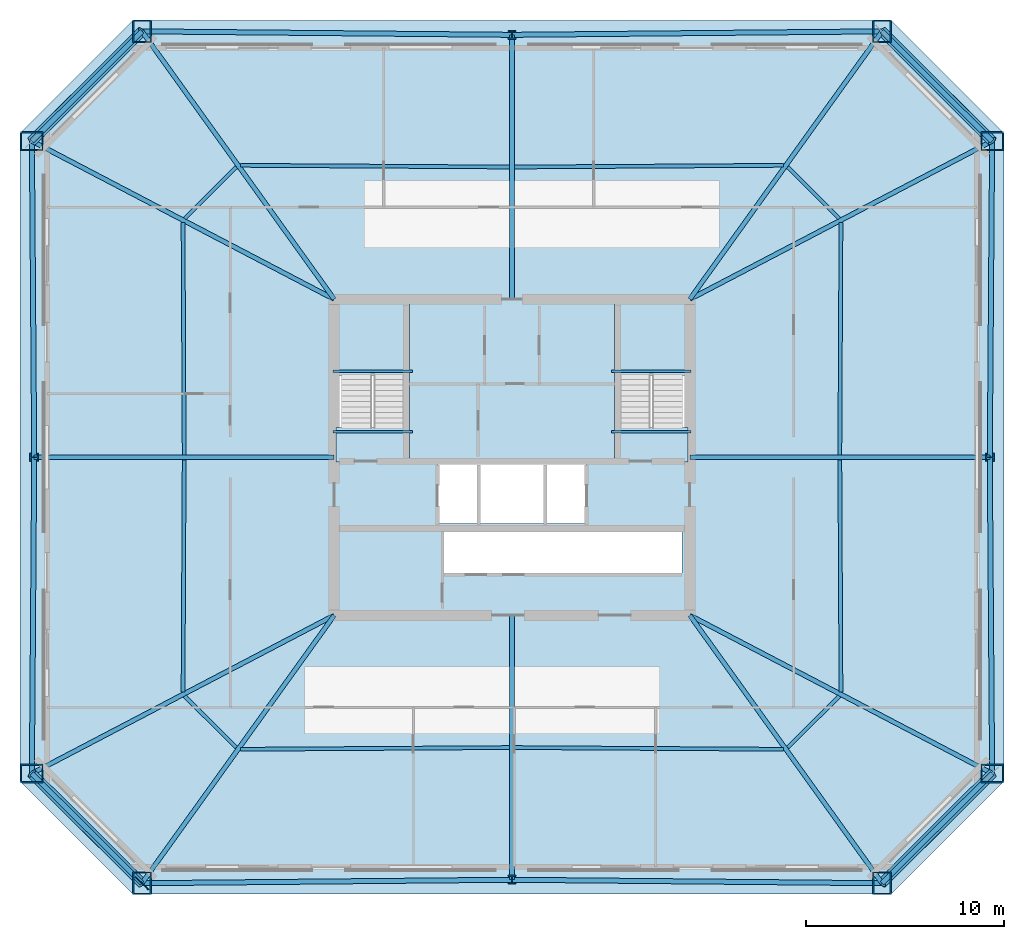
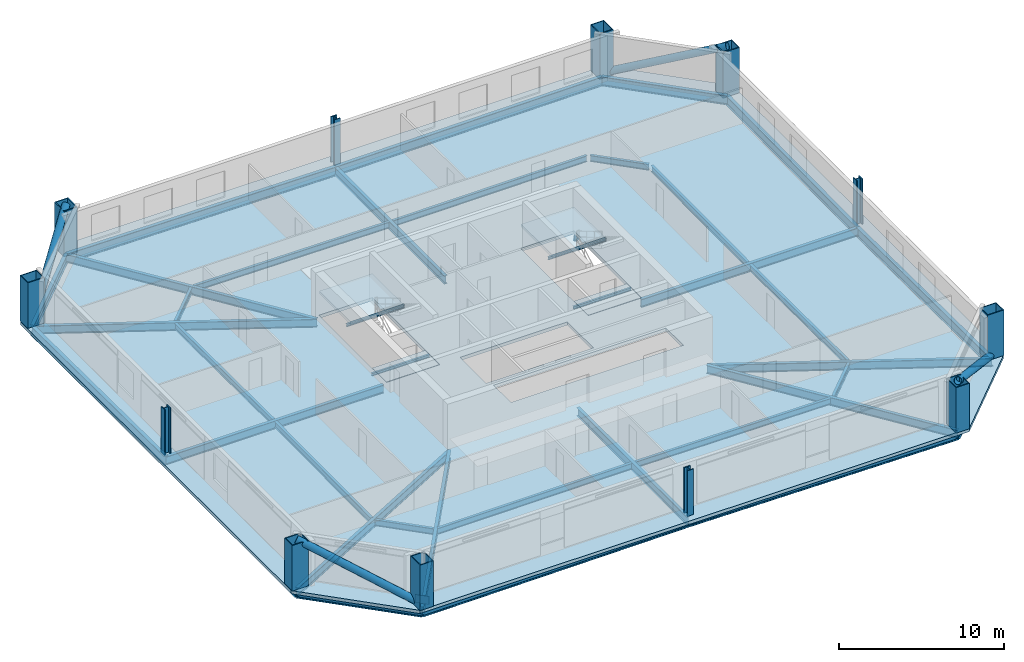
# One storey, part 1 of 7: 40 beams, 12 columns, 5 slabs, 4 members, 1 plate, 2 elements without a shape of their own.
"""IFC4 building model written with IfcOpenShell, lengths in metres."""

from ifc_helpers import new_model, si_unit, direction, frame, origin, origin_2d, place, context, subcontext, project, spatial, polyline, rectangle, hollow_rectangle, hollow_circle, i_section, outline, extrude, material, layer, layer_set, material_profile, profile_set, type_object, element, aggregate, save


model = new_model("IFC4")

# Units and contexts
model_context = context("Model", 3, precision=1e-05, world=origin(), true_north=direction((0.0, 1.0)))
body_context = subcontext(model_context, "Body", "Model", "MODEL_VIEW")
ifc_project = project(units=[si_unit("LENGTHUNIT", "METRE"), si_unit("AREAUNIT", "SQUARE_METRE"), si_unit("VOLUMEUNIT", "CUBIC_METRE"), si_unit("PLANEANGLEUNIT", "RADIAN"), si_unit("MASSUNIT", "GRAM", prefix="KILO")], contexts=[model_context])

# Site, building, storey
site_placement = place(None, origin())
site = spatial("IfcSite", under=ifc_project, at=site_placement, CompositionType="ELEMENT")
building_placement = place(site_placement, origin())
building = spatial("IfcBuilding", under=site, at=building_placement, Name="Caelvoria Tower", CompositionType="ELEMENT")
storey_placement = place(building_placement, frame((0.0, 0.0, 98.800048828125)))
storey = spatial("IfcBuildingStorey", under=building, at=storey_placement, Name="L25", CompositionType="ELEMENT", Elevation=98.800048828125)

# Columns
ifc_material_1 = material(Name="Structural Steel ASTM A572 Gr.50", Category="steel")
ifc_material_profile_1 = material_profile(ifc_material_1, hollow_rectangle(XDim=0.949951171875, YDim=1.14990234375, WallThickness=0.06005859375, at=origin_2d()), Name="Structural Steel ASTM A572 Gr.50")
ifc_profile_set_1 = profile_set([ifc_material_profile_1], Name="BOX1150X950X60 - Structural Steel ASTM A572 Gr.50")
column_type_1 = type_object("IfcColumnType", Name="Mega Box Column 1150x950x60", PredefinedType="COLUMN", material=ifc_profile_set_1)
for number, where, z_axis, x_axis, name in (
    (1, (27.272216796875, 10.443603515625, 0.0), (0.0, 0.0, 1.0), (1.0, 0.0, 0.0), "Perimeter Megaframe Column L25-P00"),
    (2, (64.727783203125, 10.443603515625, 0.0), (0.0, 0.0, 1.0), (1.0, 0.0, 0.0), "Perimeter Megaframe Column L25-P02"),
    (3, (70.298583984375, 15.99609375, 0.0), (0.0, 0.0, 1.0), (0.0, 1.0, 0.0), "Perimeter Megaframe Column L25-P03"),
    (4, (70.298583984375, 48.00390625, 0.0), (0.0, 0.0, 1.0), (0.0, 1.0, 0.0), "Perimeter Megaframe Column L25-P05"),
    (5, (64.727783203125, 53.556396484375, 0.0), (0.0, 0.0, 1.0), (1.0, 0.0, 0.0), "Perimeter Megaframe Column L25-P06"),
    (6, (27.272216796875, 53.556396484375, 0.0), (0.0, 0.0, 1.0), (1.0, 0.0, 0.0), "Perimeter Megaframe Column L25-P08"),
    (7, (21.701416015625, 48.00390625, 0.0), (0.0, 0.0, 1.0), (0.0, 1.0, 0.0), "Perimeter Megaframe Column L25-P09"),
    (8, (21.701416015625, 15.99609375, 0.0), (0.0, 0.0, 1.0), (0.0, 1.0, 0.0), "Perimeter Megaframe Column L25-P11"),
):
    element("IfcColumn", number, at=place(storey_placement, frame(where, z_axis=z_axis, x_axis=x_axis)), inside=storey, type_object=column_type_1, Name=name, PredefinedType="COLUMN", context=body_context, shape_type="SweptSolid", body=[
        extrude(hollow_rectangle(XDim=0.949951171875, YDim=1.14990234375, WallThickness=0.06005859375, at=origin_2d()), origin(), (0.0, 0.0, 1.0), 3.35791015625),
    ])
ifc_material_2 = material(Name="Structural Steel ASTM A913 Gr.65", Category="steel")
ifc_material_profile_2 = material_profile(ifc_material_2, i_section(OverallWidth=0.41796875, OverallDepth=0.455078125, WebThickness=0.0419921875, FlangeThickness=0.067626953125, FilletRadius=0.02490234375, at=origin_2d()), Name="Structural Steel ASTM A913 Gr.65")
ifc_profile_set_2 = profile_set([ifc_material_profile_2], Name="W360X551 - Structural Steel ASTM A913 Gr.65")
column_type_2 = type_object("IfcColumnType", Name="Mid Frame Column W360X551", PredefinedType="COLUMN", material=ifc_profile_set_2)
for number, where, z_axis, x_axis, name in (
    (9, (46.0, 10.6201171875, 0.0), (0.0, 0.0, 1.0), (1.0, 0.0, 0.0), "Perimeter Megaframe Column L25-P01"),
    (10, (70.179931640625, 32.0, 0.0), (0.0, 0.0, 1.0), (0.0, 1.0, 0.0), "Perimeter Megaframe Column L25-P04"),
    (11, (46.0, 53.3798828125, 0.0), (0.0, 0.0, 1.0), (1.0, 0.0, 0.0), "Perimeter Megaframe Column L25-P07"),
    (12, (21.820068359375, 32.0, 0.0), (0.0, 0.0, 1.0), (0.0, 1.0, 0.0), "Perimeter Megaframe Column L25-P10"),
):
    element("IfcColumn", number, at=place(storey_placement, frame(where, z_axis=z_axis, x_axis=x_axis)), inside=storey, type_object=column_type_2, Name=name, PredefinedType="COLUMN", context=body_context, shape_type="SweptSolid", body=[
        extrude(i_section(OverallWidth=0.41796875, OverallDepth=0.455078125, WebThickness=0.0419921875, FlangeThickness=0.067626953125, FilletRadius=0.02490234375, at=origin_2d()), origin(), (0.0, 0.0, 1.0), 3.35791015625),
    ])

# Beams
ifc_material_3 = material(Name="Structural Steel ASTM A992 Gr.50", Category="steel")
ifc_material_profile_3 = material_profile(ifc_material_3, i_section(OverallWidth=0.134033203125, OverallDepth=0.2099609375, WebThickness=0.00634765625, FlangeThickness=0.01025390625, FilletRadius=0.010009765625, at=origin_2d()), Name="Structural Steel ASTM A992 Gr.50")
ifc_profile_set_3 = profile_set([ifc_material_profile_3], Name="W200X31.3 - Structural Steel ASTM A992 Gr.50")
beam_type_1 = type_object("IfcBeamType", Name="Canopy Edge Trim Beam W200X31.3", PredefinedType="BEAM", material=ifc_profile_set_3)
for number, where, z_axis, x_axis, name in (
    (13, (36.929931640625, 36.35009765625, 1.494873046875), (1.0, 0.0, 0.0), (0.0, 1.0, 0.0), "ST-01 Half-Landing Support Beam L25"),
    (14, (36.929931640625, 33.300048828125, -0.304931640625), (1.0, 0.0, 0.0), (0.0, 1.0, 0.0), "ST-01 Floor-Landing Support Beam L25"),
    (15, (51.030029296875, 36.35009765625, 1.494873046875), (1.0, 0.0, 0.0), (0.0, 1.0, 0.0), "ST-02 Half-Landing Support Beam L25"),
    (16, (51.030029296875, 33.300048828125, -0.304931640625), (1.0, 0.0, 0.0), (0.0, 1.0, 0.0), "ST-02 Floor-Landing Support Beam L25"),
):
    element("IfcBeam", number, at=place(storey_placement, frame(where, z_axis=z_axis, x_axis=x_axis)), inside=storey, type_object=beam_type_1, Name=name, PredefinedType="BEAM", context=body_context, shape_type="SweptSolid", body=[
        extrude(i_section(OverallWidth=0.134033203125, OverallDepth=0.2099609375, WebThickness=0.00634765625, FlangeThickness=0.01025390625, FilletRadius=0.010009765625, at=origin_2d()), origin(), (0.0, 0.0, 1.0), 4.0400390625),
    ])

# Members
ifc_material_profile_4 = material_profile(ifc_material_1, hollow_circle(Radius=0.25390625, WallThickness=0.02001953125, at=origin_2d()), Name="Structural Steel ASTM A572 Gr.50")
ifc_profile_set_4 = profile_set([ifc_material_profile_4], Name="CHS508X20 - Structural Steel ASTM A572 Gr.50")
member_type = type_object("IfcMemberType", Name="Mid Perimeter Mega Brace CHS508X20", PredefinedType="BRACE", material=ifc_profile_set_4)
for number, where, z_axis, x_axis, name in (
    (17, (70.298583984375, 15.99609375, 0.0), (-0.651332268907, -0.649191418693, 0.392831741813), (0.705941824609, -0.708269821656, 0.0), "Perimeter Chamfer Mega Brace L25 SE"),
    (18, (64.727783203125, 53.556396484375, 0.0), (0.651332268907, -0.649191418693, 0.392831741813), (0.705941824609, 0.708269821656, 0.0), "Perimeter Chamfer Mega Brace L25 NE"),
    (19, (21.701416015625, 48.00390625, 0.0), (0.651332268907, 0.649191418693, 0.392831741813), (-0.705941824609, 0.708269821656, 0.0), "Perimeter Chamfer Mega Brace L25 NW"),
    (20, (27.272216796875, 10.443603515625, 0.0), (-0.651332268907, 0.649191418693, 0.392831741813), (-0.705941824609, -0.708269821656, 0.0), "Perimeter Chamfer Mega Brace L25 SW"),
):
    element("IfcMember", number, at=place(storey_placement, frame(where, z_axis=z_axis, x_axis=x_axis)), inside=storey, type_object=member_type, Name=name, PredefinedType="BRACE", context=body_context, shape_type="SweptSolid", body=[
        extrude(hollow_circle(Radius=0.25390625, WallThickness=0.02001953125, at=origin_2d()), origin(), (0.0, 0.0, 1.0), 8.552978515625),
    ])

# Beams
ifc_material_profile_5 = material_profile(ifc_material_3, i_section(OverallWidth=0.25390625, OverallDepth=0.68798828125, WebThickness=0.01318359375, FlangeThickness=0.02099609375, FilletRadius=0.01904296875, at=origin_2d()), Name="Structural Steel ASTM A992 Gr.50")
ifc_profile_set_5 = profile_set([ifc_material_profile_5], Name="W690X152 - Structural Steel ASTM A992 Gr.50")
beam_type_2 = type_object("IfcBeamType", Name="Perimeter Spandrel Girder W690X152", PredefinedType="BEAM", material=ifc_profile_set_5)
for number, where, z_axis, x_axis, name in (
    (21, (27.272216796875, 10.443603515625, -0.583984375), (0.999955585475, 0.009424811799, 0.0), (-0.009424811799, 0.999955585475, 0.0), "Perimeter Spandrel Girder L25-00"),
    (22, (46.0, 10.6201171875, -0.583984375), (0.999955585475, -0.009424811799, 0.0), (0.009424811799, 0.999955585475, 0.0), "Perimeter Spandrel Girder L25-01"),
):
    element("IfcBeam", number, at=place(storey_placement, frame(where, z_axis=z_axis, x_axis=x_axis)), inside=storey, type_object=beam_type_2, Name=name, PredefinedType="BEAM", context=body_context, shape_type="SweptSolid", body=[
        extrude(i_section(OverallWidth=0.25390625, OverallDepth=0.68798828125, WebThickness=0.01318359375, FlangeThickness=0.02099609375, FilletRadius=0.01904296875, at=origin_2d()), origin(), (0.0, 0.0, 1.0), 18.728515625),
    ])
beam_1_placement = place(storey_placement, frame((64.727783203125, 10.443603515625, -0.583984375), z_axis=(0.708269821656, 0.705941824609, 0.0), x_axis=(-0.705941824609, 0.708269821656, 0.0)))
element("IfcBeam", 23, at=beam_1_placement, inside=storey, type_object=beam_type_2, Name="Perimeter Spandrel Girder L25-02", PredefinedType="BEAM", context=body_context, shape_type="SweptSolid", body=[
    extrude(i_section(OverallWidth=0.25390625, OverallDepth=0.68798828125, WebThickness=0.01318359375, FlangeThickness=0.02099609375, FilletRadius=0.01904296875, at=origin_2d()), origin(), (0.0, 0.0, 1.0), 7.865478515625),
])
for number, where, z_axis, x_axis, name in (
    (24, (70.298583984375, 15.99609375, -0.583984375), (-0.007413757683, 0.999972517721, 0.0), (-0.999972517721, -0.007413757683, 0.0), "Perimeter Spandrel Girder L25-03"),
    (25, (70.179931640625, 32.0, -0.583984375), (0.007413757683, 0.999972517721, 0.0), (-0.999972517721, 0.007413757683, 0.0), "Perimeter Spandrel Girder L25-04"),
):
    element("IfcBeam", number, at=place(storey_placement, frame(where, z_axis=z_axis, x_axis=x_axis)), inside=storey, type_object=beam_type_2, Name=name, PredefinedType="BEAM", context=body_context, shape_type="SweptSolid", body=[
        extrude(i_section(OverallWidth=0.25390625, OverallDepth=0.68798828125, WebThickness=0.01318359375, FlangeThickness=0.02099609375, FilletRadius=0.01904296875, at=origin_2d()), origin(), (0.0, 0.0, 1.0), 16.00439453125),
    ])
beam_2_placement = place(storey_placement, frame((70.298583984375, 48.00390625, -0.583984375), z_axis=(-0.708269821656, 0.705941824609, 0.0), x_axis=(-0.705941824609, -0.708269821656, 0.0)))
element("IfcBeam", 26, at=beam_2_placement, inside=storey, type_object=beam_type_2, Name="Perimeter Spandrel Girder L25-05", PredefinedType="BEAM", context=body_context, shape_type="SweptSolid", body=[
    extrude(i_section(OverallWidth=0.25390625, OverallDepth=0.68798828125, WebThickness=0.01318359375, FlangeThickness=0.02099609375, FilletRadius=0.01904296875, at=origin_2d()), origin(), (0.0, 0.0, 1.0), 7.865478515625),
])
for number, where, z_axis, x_axis, name in (
    (27, (64.727783203125, 53.556396484375, -0.583984375), (-0.999955585475, -0.009424811799, 0.0), (0.009424811799, -0.999955585475, 0.0), "Perimeter Spandrel Girder L25-06"),
    (28, (46.0, 53.3798828125, -0.583984375), (-0.999955585475, 0.009424811799, 0.0), (-0.009424811799, -0.999955585475, 0.0), "Perimeter Spandrel Girder L25-07"),
):
    element("IfcBeam", number, at=place(storey_placement, frame(where, z_axis=z_axis, x_axis=x_axis)), inside=storey, type_object=beam_type_2, Name=name, PredefinedType="BEAM", context=body_context, shape_type="SweptSolid", body=[
        extrude(i_section(OverallWidth=0.25390625, OverallDepth=0.68798828125, WebThickness=0.01318359375, FlangeThickness=0.02099609375, FilletRadius=0.01904296875, at=origin_2d()), origin(), (0.0, 0.0, 1.0), 18.728515625),
    ])
beam_3_placement = place(storey_placement, frame((27.272216796875, 53.556396484375, -0.583984375), z_axis=(-0.708269821656, -0.705941824609, 0.0), x_axis=(0.705941824609, -0.708269821656, 0.0)))
element("IfcBeam", 29, at=beam_3_placement, inside=storey, type_object=beam_type_2, Name="Perimeter Spandrel Girder L25-08", PredefinedType="BEAM", context=body_context, shape_type="SweptSolid", body=[
    extrude(i_section(OverallWidth=0.25390625, OverallDepth=0.68798828125, WebThickness=0.01318359375, FlangeThickness=0.02099609375, FilletRadius=0.01904296875, at=origin_2d()), origin(), (0.0, 0.0, 1.0), 7.865478515625),
])
for number, where, z_axis, x_axis, name in (
    (30, (21.701416015625, 48.00390625, -0.583984375), (0.007413757683, -0.999972517721, 0.0), (0.999972517721, 0.007413757683, 0.0), "Perimeter Spandrel Girder L25-09"),
    (31, (21.820068359375, 32.0, -0.583984375), (-0.007413757683, -0.999972517721, 0.0), (0.999972517721, -0.007413757683, 0.0), "Perimeter Spandrel Girder L25-10"),
):
    element("IfcBeam", number, at=place(storey_placement, frame(where, z_axis=z_axis, x_axis=x_axis)), inside=storey, type_object=beam_type_2, Name=name, PredefinedType="BEAM", context=body_context, shape_type="SweptSolid", body=[
        extrude(i_section(OverallWidth=0.25390625, OverallDepth=0.68798828125, WebThickness=0.01318359375, FlangeThickness=0.02099609375, FilletRadius=0.01904296875, at=origin_2d()), origin(), (0.0, 0.0, 1.0), 16.00439453125),
    ])
beam_4_placement = place(storey_placement, frame((21.701416015625, 15.99609375, -0.583984375), z_axis=(0.708269821656, -0.705941824609, 0.0), x_axis=(0.705941824609, 0.708269821656, 0.0)))
element("IfcBeam", 32, at=beam_4_placement, inside=storey, type_object=beam_type_2, Name="Perimeter Spandrel Girder L25-11", PredefinedType="BEAM", context=body_context, shape_type="SweptSolid", body=[
    extrude(i_section(OverallWidth=0.25390625, OverallDepth=0.68798828125, WebThickness=0.01318359375, FlangeThickness=0.02099609375, FilletRadius=0.01904296875, at=origin_2d()), origin(), (0.0, 0.0, 1.0), 7.865478515625),
])
ifc_material_profile_6 = material_profile(ifc_material_3, i_section(OverallWidth=0.22900390625, OverallDepth=0.612060546875, WebThickness=0.011962890625, FlangeThickness=0.01953125, FilletRadius=0.01806640625, at=origin_2d()), Name="Structural Steel ASTM A992 Gr.50")
ifc_profile_set_6 = profile_set([ifc_material_profile_6], Name="W610X125 - Structural Steel ASTM A992 Gr.50")
beam_type_3 = type_object("IfcBeamType", Name="Primary Radial Floor Girder W610X125", PredefinedType="BEAM", material=ifc_profile_set_6)
beam_5_placement = place(storey_placement, frame((37.0, 24.0, -0.546142578125), z_axis=(-0.583008463656, -0.812466080096, 0.0), x_axis=(0.812466080096, -0.583008463656, 0.0)))
element("IfcBeam", 33, at=beam_5_placement, inside=storey, type_object=beam_type_3, Name="Primary Floor Girder L25-00", PredefinedType="BEAM", context=body_context, shape_type="SweptSolid", body=[
    extrude(i_section(OverallWidth=0.22900390625, OverallDepth=0.612060546875, WebThickness=0.011962890625, FlangeThickness=0.01953125, FilletRadius=0.01806640625, at=origin_2d()), origin(), (0.0, 0.0, 1.0), 16.685546875),
])
beam_6_placement = place(storey_placement, frame((46.0, 24.0, -0.546142578125), z_axis=(0.0, -1.0, 0.0), x_axis=(1.0, 0.0, 0.0)))
element("IfcBeam", 34, at=beam_6_placement, inside=storey, type_object=beam_type_3, Name="Primary Floor Girder L25-01", PredefinedType="BEAM", context=body_context, shape_type="SweptSolid", body=[
    extrude(i_section(OverallWidth=0.22900390625, OverallDepth=0.612060546875, WebThickness=0.011962890625, FlangeThickness=0.01953125, FilletRadius=0.01806640625, at=origin_2d()), origin(), (0.0, 0.0, 1.0), 13.3798828125),
])
beam_7_placement = place(storey_placement, frame((55.0, 24.0, -0.546142578125), z_axis=(0.583008463656, -0.812466080096, 0.0), x_axis=(0.812466080096, 0.583008463656, 0.0)))
element("IfcBeam", 35, at=beam_7_placement, inside=storey, type_object=beam_type_3, Name="Primary Floor Girder L25-02", PredefinedType="BEAM", context=body_context, shape_type="SweptSolid", body=[
    extrude(i_section(OverallWidth=0.22900390625, OverallDepth=0.612060546875, WebThickness=0.011962890625, FlangeThickness=0.01953125, FilletRadius=0.01806640625, at=origin_2d()), origin(), (0.0, 0.0, 1.0), 16.685546875),
])
beam_8_placement = place(storey_placement, frame((55.0, 24.0, -0.546142578125), z_axis=(0.886060863891, -0.46356892204, 0.0), x_axis=(0.46356892204, 0.886060863891, 0.0)))
element("IfcBeam", 36, at=beam_8_placement, inside=storey, type_object=beam_type_3, Name="Primary Floor Girder L25-03", PredefinedType="BEAM", context=body_context, shape_type="SweptSolid", body=[
    extrude(i_section(OverallWidth=0.22900390625, OverallDepth=0.612060546875, WebThickness=0.011962890625, FlangeThickness=0.01953125, FilletRadius=0.01806640625, at=origin_2d()), origin(), (0.0, 0.0, 1.0), 17.265869140625),
])
beam_9_placement = place(storey_placement, frame((55.0, 32.0, -0.546142578125), z_axis=(1.0, 0.0, 0.0), x_axis=(0.0, 1.0, 0.0)))
element("IfcBeam", 37, at=beam_9_placement, inside=storey, type_object=beam_type_3, Name="Primary Floor Girder L25-04", PredefinedType="BEAM", context=body_context, shape_type="SweptSolid", body=[
    extrude(i_section(OverallWidth=0.22900390625, OverallDepth=0.612060546875, WebThickness=0.011962890625, FlangeThickness=0.01953125, FilletRadius=0.01806640625, at=origin_2d()), origin(), (0.0, 0.0, 1.0), 15.179931640625),
])
beam_10_placement = place(storey_placement, frame((55.0, 40.0, -0.546142578125), z_axis=(0.886060863891, 0.46356892204, 0.0), x_axis=(-0.46356892204, 0.886060863891, 0.0)))
element("IfcBeam", 38, at=beam_10_placement, inside=storey, type_object=beam_type_3, Name="Primary Floor Girder L25-05", PredefinedType="BEAM", context=body_context, shape_type="SweptSolid", body=[
    extrude(i_section(OverallWidth=0.22900390625, OverallDepth=0.612060546875, WebThickness=0.011962890625, FlangeThickness=0.01953125, FilletRadius=0.01806640625, at=origin_2d()), origin(), (0.0, 0.0, 1.0), 17.265869140625),
])
beam_11_placement = place(storey_placement, frame((55.0, 40.0, -0.546142578125), z_axis=(0.583008463656, 0.812466080096, 0.0), x_axis=(-0.812466080096, 0.583008463656, 0.0)))
element("IfcBeam", 39, at=beam_11_placement, inside=storey, type_object=beam_type_3, Name="Primary Floor Girder L25-06", PredefinedType="BEAM", context=body_context, shape_type="SweptSolid", body=[
    extrude(i_section(OverallWidth=0.22900390625, OverallDepth=0.612060546875, WebThickness=0.011962890625, FlangeThickness=0.01953125, FilletRadius=0.01806640625, at=origin_2d()), origin(), (0.0, 0.0, 1.0), 16.685546875),
])
beam_12_placement = place(storey_placement, frame((46.0, 40.0, -0.546142578125), z_axis=(0.0, 1.0, 0.0), x_axis=(-1.0, 0.0, 0.0)))
element("IfcBeam", 40, at=beam_12_placement, inside=storey, type_object=beam_type_3, Name="Primary Floor Girder L25-07", PredefinedType="BEAM", context=body_context, shape_type="SweptSolid", body=[
    extrude(i_section(OverallWidth=0.22900390625, OverallDepth=0.612060546875, WebThickness=0.011962890625, FlangeThickness=0.01953125, FilletRadius=0.01806640625, at=origin_2d()), origin(), (0.0, 0.0, 1.0), 13.3798828125),
])
beam_13_placement = place(storey_placement, frame((37.0, 40.0, -0.546142578125), z_axis=(-0.583008463656, 0.812466080096, 0.0), x_axis=(-0.812466080096, -0.583008463656, 0.0)))
element("IfcBeam", 41, at=beam_13_placement, inside=storey, type_object=beam_type_3, Name="Primary Floor Girder L25-08", PredefinedType="BEAM", context=body_context, shape_type="SweptSolid", body=[
    extrude(i_section(OverallWidth=0.22900390625, OverallDepth=0.612060546875, WebThickness=0.011962890625, FlangeThickness=0.01953125, FilletRadius=0.01806640625, at=origin_2d()), origin(), (0.0, 0.0, 1.0), 16.685546875),
])
beam_14_placement = place(storey_placement, frame((37.0, 40.0, -0.546142578125), z_axis=(-0.886060863891, 0.46356892204, 0.0), x_axis=(-0.46356892204, -0.886060863891, 0.0)))
element("IfcBeam", 42, at=beam_14_placement, inside=storey, type_object=beam_type_3, Name="Primary Floor Girder L25-09", PredefinedType="BEAM", context=body_context, shape_type="SweptSolid", body=[
    extrude(i_section(OverallWidth=0.22900390625, OverallDepth=0.612060546875, WebThickness=0.011962890625, FlangeThickness=0.01953125, FilletRadius=0.01806640625, at=origin_2d()), origin(), (0.0, 0.0, 1.0), 17.265869140625),
])
beam_15_placement = place(storey_placement, frame((37.0, 32.0, -0.546142578125), z_axis=(-1.0, 0.0, 0.0), x_axis=(0.0, -1.0, 0.0)))
element("IfcBeam", 43, at=beam_15_placement, inside=storey, type_object=beam_type_3, Name="Primary Floor Girder L25-10", PredefinedType="BEAM", context=body_context, shape_type="SweptSolid", body=[
    extrude(i_section(OverallWidth=0.22900390625, OverallDepth=0.612060546875, WebThickness=0.011962890625, FlangeThickness=0.01953125, FilletRadius=0.01806640625, at=origin_2d()), origin(), (0.0, 0.0, 1.0), 15.179931640625),
])
beam_16_placement = place(storey_placement, frame((37.0, 24.0, -0.546142578125), z_axis=(-0.886060863891, -0.46356892204, 0.0), x_axis=(0.46356892204, -0.886060863891, 0.0)))
element("IfcBeam", 44, at=beam_16_placement, inside=storey, type_object=beam_type_3, Name="Primary Floor Girder L25-11", PredefinedType="BEAM", context=body_context, shape_type="SweptSolid", body=[
    extrude(i_section(OverallWidth=0.22900390625, OverallDepth=0.612060546875, WebThickness=0.011962890625, FlangeThickness=0.01953125, FilletRadius=0.01806640625, at=origin_2d()), origin(), (0.0, 0.0, 1.0), 17.265869140625),
])
ifc_material_profile_7 = material_profile(ifc_material_3, i_section(OverallWidth=0.18994140625, OverallDepth=0.45703125, WebThickness=0.009033203125, FlangeThickness=0.014404296875, FilletRadius=0.014892578125, at=origin_2d()), Name="Structural Steel ASTM A992 Gr.50")
ifc_profile_set_7 = profile_set([ifc_material_profile_7], Name="W460X74 - Structural Steel ASTM A992 Gr.50")
beam_type_4 = type_object("IfcBeamType", Name="Secondary Floor Beam W460X74", PredefinedType="BEAM", material=ifc_profile_set_7)
for number, where, z_axis, x_axis, name in (
    (45, (32.260986328125, 17.22265625, -0.468505859375), (0.999979850181, 0.006348167548, 0.0), (-0.006348167548, 0.999979850181, 0.0), "Secondary Floor Beam L25-00"),
    (46, (46.125, 17.30908203125, -0.468505859375), (0.999979850181, -0.006348167548, 0.0), (0.006348167548, 0.999979850181, 0.0), "Secondary Floor Beam L25-01"),
):
    element("IfcBeam", number, at=place(storey_placement, frame(where, z_axis=z_axis, x_axis=x_axis)), inside=storey, type_object=beam_type_4, Name=name, PredefinedType="BEAM", context=body_context, shape_type="SweptSolid", body=[
        extrude(i_section(OverallWidth=0.18994140625, OverallDepth=0.45703125, WebThickness=0.009033203125, FlangeThickness=0.014404296875, FilletRadius=0.014892578125, at=origin_2d()), origin(), (0.0, 0.0, 1.0), 13.6142578125),
    ])
beam_17_placement = place(storey_placement, frame((59.952392578125, 17.31005859375, -0.468505859375), z_axis=(0.708265943145, 0.705945715888, 0.0), x_axis=(-0.705945715888, 0.708265943145, 0.0)))
element("IfcBeam", 47, at=beam_17_placement, inside=storey, type_object=beam_type_4, Name="Secondary Floor Beam L25-02", PredefinedType="BEAM", context=body_context, shape_type="SweptSolid", body=[
    extrude(i_section(OverallWidth=0.18994140625, OverallDepth=0.45703125, WebThickness=0.009033203125, FlangeThickness=0.014404296875, FilletRadius=0.014892578125, at=origin_2d()), origin(), (0.0, 0.0, 1.0), 3.682861328125),
])
for number, where, z_axis, x_axis, name in (
    (48, (62.648681640625, 20.123046875, -0.468505859375), (-0.00494426398, 0.999987777052, 0.0), (-0.999987777052, -0.00494426398, 0.0), "Secondary Floor Beam L25-03"),
    (49, (62.590576171875, 32.125, -0.468505859375), (0.00494426398, 0.999987777052, 0.0), (-0.999987777052, 0.00494426398, 0.0), "Secondary Floor Beam L25-04"),
):
    element("IfcBeam", number, at=place(storey_placement, frame(where, z_axis=z_axis, x_axis=x_axis)), inside=storey, type_object=beam_type_4, Name=name, PredefinedType="BEAM", context=body_context, shape_type="SweptSolid", body=[
        extrude(i_section(OverallWidth=0.18994140625, OverallDepth=0.45703125, WebThickness=0.009033203125, FlangeThickness=0.014404296875, FilletRadius=0.014892578125, at=origin_2d()), origin(), (0.0, 0.0, 1.0), 11.752197265625),
    ])
beam_18_placement = place(storey_placement, frame((62.560791015625, 44.090087890625, -0.468505859375), z_axis=(-0.708265943145, 0.705945715888, 0.0), x_axis=(-0.705945715888, -0.708265943145, 0.0)))
element("IfcBeam", 50, at=beam_18_placement, inside=storey, type_object=beam_type_4, Name="Secondary Floor Beam L25-05", PredefinedType="BEAM", context=body_context, shape_type="SweptSolid", body=[
    extrude(i_section(OverallWidth=0.18994140625, OverallDepth=0.45703125, WebThickness=0.009033203125, FlangeThickness=0.014404296875, FilletRadius=0.014892578125, at=origin_2d()), origin(), (0.0, 0.0, 1.0), 3.682861328125),
])
for number, where, z_axis, x_axis, name in (
    (51, (59.739013671875, 46.77734375, -0.468505859375), (-0.999979850181, -0.006348167548, 0.0), (0.006348167548, -0.999979850181, 0.0), "Secondary Floor Beam L25-06"),
    (52, (45.875, 46.69091796875, -0.468505859375), (-0.999979850181, 0.006348167548, 0.0), (-0.006348167548, -0.999979850181, 0.0), "Secondary Floor Beam L25-07"),
):
    element("IfcBeam", number, at=place(storey_placement, frame(where, z_axis=z_axis, x_axis=x_axis)), inside=storey, type_object=beam_type_4, Name=name, PredefinedType="BEAM", context=body_context, shape_type="SweptSolid", body=[
        extrude(i_section(OverallWidth=0.18994140625, OverallDepth=0.45703125, WebThickness=0.009033203125, FlangeThickness=0.014404296875, FilletRadius=0.014892578125, at=origin_2d()), origin(), (0.0, 0.0, 1.0), 13.6142578125),
    ])
beam_19_placement = place(storey_placement, frame((32.047607421875, 46.68994140625, -0.468505859375), z_axis=(-0.708265943145, -0.705945715888, 0.0), x_axis=(0.705945715888, -0.708265943145, 0.0)))
element("IfcBeam", 53, at=beam_19_placement, inside=storey, type_object=beam_type_4, Name="Secondary Floor Beam L25-08", PredefinedType="BEAM", context=body_context, shape_type="SweptSolid", body=[
    extrude(i_section(OverallWidth=0.18994140625, OverallDepth=0.45703125, WebThickness=0.009033203125, FlangeThickness=0.014404296875, FilletRadius=0.014892578125, at=origin_2d()), origin(), (0.0, 0.0, 1.0), 3.682861328125),
])
for number, where, z_axis, x_axis, name in (
    (54, (29.351318359375, 43.876953125, -0.468505859375), (0.00494426398, -0.999987777052, 0.0), (0.999987777052, 0.00494426398, 0.0), "Secondary Floor Beam L25-09"),
    (55, (29.409423828125, 31.875, -0.468505859375), (-0.00494426398, -0.999987777052, 0.0), (0.999987777052, -0.00494426398, 0.0), "Secondary Floor Beam L25-10"),
):
    element("IfcBeam", number, at=place(storey_placement, frame(where, z_axis=z_axis, x_axis=x_axis)), inside=storey, type_object=beam_type_4, Name=name, PredefinedType="BEAM", context=body_context, shape_type="SweptSolid", body=[
        extrude(i_section(OverallWidth=0.18994140625, OverallDepth=0.45703125, WebThickness=0.009033203125, FlangeThickness=0.014404296875, FilletRadius=0.014892578125, at=origin_2d()), origin(), (0.0, 0.0, 1.0), 11.752197265625),
    ])
beam_20_placement = place(storey_placement, frame((29.439208984375, 19.909912109375, -0.468505859375), z_axis=(0.708265943145, -0.705945715888, 0.0), x_axis=(0.705945715888, 0.708265943145, 0.0)))
element("IfcBeam", 56, at=beam_20_placement, inside=storey, type_object=beam_type_4, Name="Secondary Floor Beam L25-11", PredefinedType="BEAM", context=body_context, shape_type="SweptSolid", body=[
    extrude(i_section(OverallWidth=0.18994140625, OverallDepth=0.45703125, WebThickness=0.009033203125, FlangeThickness=0.014404296875, FilletRadius=0.014892578125, at=origin_2d()), origin(), (0.0, 0.0, 1.0), 3.682861328125),
])

# Plate
ifc_layer_1 = layer(ifc_material_1, 0.0400390625, Name="Structural Steel ASTM A572 Gr.50")
ifc_layer_set_1 = layer_set([ifc_layer_1], Name="Megaframe Node Gusset Plate 900x600x40 - Structural Steel ASTM A572 Gr.50")
plate_type = type_object("IfcPlateType", Name="Megaframe Node Gusset Plate 900x600x40", PredefinedType="USERDEFINED", material=ifc_layer_set_1)
plate_placement = place(storey_placement, frame((27.272216796875, 10.443603515625, 0.02001953125), z_axis=(0.0, 0.0, 1.0), x_axis=(-0.708275771936, 0.705935854656, 0.0)))
element("IfcPlate", 57, at=plate_placement, inside=storey, type_object=plate_type, Name="Chamfer Mega Brace Gusset L25 SW", ObjectType="GUSSET_PLATE", PredefinedType="USERDEFINED", context=body_context, shape_type="SweptSolid", body=[
    extrude(rectangle(XDim=0.89990234375, YDim=0.0400390625, at=origin_2d()), origin(), (0.0, 0.0, 1.0), 0.60009765625),
])

# Stair, slabs
ifc_material_4 = material(Name="Concrete C40/50", Category="concrete")
stair_type = type_object("IfcStairType", Name="Core Smokeproof Dogleg Stair Concrete C40/50", PredefinedType="HALF_TURN_STAIR", material=ifc_material_4)
stair_1_placement = place(storey_placement, origin())
stair_1 = element("IfcStair", 58, at=stair_1_placement, inside=storey, type_object=stair_type, Name="ST-01 Smokeproof Exit Stair L25", PredefinedType="HALF_TURN_STAIR")
ifc_layer_2 = layer(ifc_material_4, 0.199951171875, Name="Concrete C40/50")
ifc_layer_set_2 = layer_set([ifc_layer_2], Name="Stair Half and Floor Landing Slab 200 Concrete C40/50 - Concrete C40/50")
slab_type_1 = type_object("IfcSlabType", Name="Stair Half and Floor Landing Slab 200 Concrete C40/50", PredefinedType="LANDING", material=ifc_layer_set_2)
slab_1_placement = place(storey_placement, frame((0.0, 0.0, -0.199951171875)))
slab_1 = element("IfcSlab", 59, at=slab_1_placement, type_object=slab_type_1, Name="ST-01 landing 1", PredefinedType="LANDING", context=body_context, shape_type="SweptSolid", body=[
    extrude(outline(polyline([(37.10009765625, 31.77001953125), (40.800048828125, 31.77001953125), (40.800048828125, 33.5), (37.10009765625, 33.5), (37.10009765625, 31.77001953125)])), origin(), (0.0, 0.0, 1.0), 0.199951171875),
])
slab_2_placement = place(storey_placement, frame((0.0, 0.0, 1.599853515625)))
slab_2 = element("IfcSlab", 60, at=slab_2_placement, type_object=slab_type_1, Name="ST-01 landing 2", PredefinedType="LANDING", context=body_context, shape_type="SweptSolid", body=[
    extrude(outline(polyline([(37.10009765625, 36.14990234375), (40.800048828125, 36.14990234375), (40.800048828125, 39.89990234375), (37.10009765625, 39.89990234375), (37.10009765625, 36.14990234375)])), origin(), (0.0, 0.0, 1.0), 0.2001953125),
])
aggregate(stair_1, [slab_1, slab_2])

stair_2_placement = place(storey_placement, origin())
stair_2 = element("IfcStair", 61, at=stair_2_placement, inside=storey, type_object=stair_type, Name="ST-02 Smokeproof Exit Stair L25", PredefinedType="HALF_TURN_STAIR")
slab_3_placement = place(storey_placement, frame((0.0, 0.0, -0.199951171875)))
slab_3 = element("IfcSlab", 62, at=slab_3_placement, type_object=slab_type_1, Name="ST-02 landing 1", PredefinedType="LANDING", context=body_context, shape_type="SweptSolid", body=[
    extrude(outline(polyline([(51.199951171875, 31.77001953125), (54.89990234375, 31.77001953125), (54.89990234375, 33.5), (51.199951171875, 33.5), (51.199951171875, 31.77001953125)])), origin(), (0.0, 0.0, 1.0), 0.199951171875),
])
slab_4_placement = place(storey_placement, frame((0.0, 0.0, 1.599853515625)))
slab_4 = element("IfcSlab", 63, at=slab_4_placement, type_object=slab_type_1, Name="ST-02 landing 2", PredefinedType="LANDING", context=body_context, shape_type="SweptSolid", body=[
    extrude(outline(polyline([(51.199951171875, 36.14990234375), (54.89990234375, 36.14990234375), (54.89990234375, 39.89990234375), (51.199951171875, 39.89990234375), (51.199951171875, 36.14990234375)])), origin(), (0.0, 0.0, 1.0), 0.2001953125),
])
aggregate(stair_2, [slab_3, slab_4])

# Slab
ifc_layer_3 = layer(ifc_material_4, 0.239990234375, Name="Concrete C40/50")
ifc_layer_set_3 = layer_set([ifc_layer_3], Name="Tower Composite Office Slab 240 - Concrete C40/50")
slab_type_2 = type_object("IfcSlabType", Name="Tower Composite Office Slab 240", PredefinedType="FLOOR", material=ifc_layer_set_3)
slab_5_placement = place(storey_placement, frame((0.0, 0.0, -0.239990234375)))
element("IfcSlab", 64, at=slab_5_placement, inside=storey, type_object=slab_type_2, Name="Level L25 Structural Floor Slab", PredefinedType="FLOOR", context=body_context, shape_type="SweptSolid", body=[
    extrude(outline(polyline([(26.800048828125, 9.89990234375), (65.199951171875, 9.89990234375), (70.89990234375, 15.60009765625), (70.89990234375, 48.39990234375), (65.199951171875, 54.10009765625), (26.800048828125, 54.10009765625), (21.10009765625, 48.39990234375), (21.10009765625, 15.60009765625), (26.800048828125, 9.89990234375)]), holes=[polyline([(37.080078125, 31.75), (40.820068359375, 31.75), (40.820068359375, 39.919921875), (37.080078125, 39.919921875), (37.080078125, 31.75)]), polyline([(51.179931640625, 31.75), (54.919921875, 31.75), (54.919921875, 39.919921875), (51.179931640625, 39.919921875), (51.179931640625, 31.75)]), polyline([(42.25, 28.64990234375), (49.75, 28.64990234375), (49.75, 31.800048828125), (42.25, 31.800048828125), (42.25, 28.64990234375)]), polyline([(42.550048828125, 26.14990234375), (54.60009765625, 26.14990234375), (54.60009765625, 28.25), (42.550048828125, 28.25), (42.550048828125, 26.14990234375)])]), origin(), (0.0, 0.0, 1.0), 0.239990234375),
])

save(model, "model.ifc")
